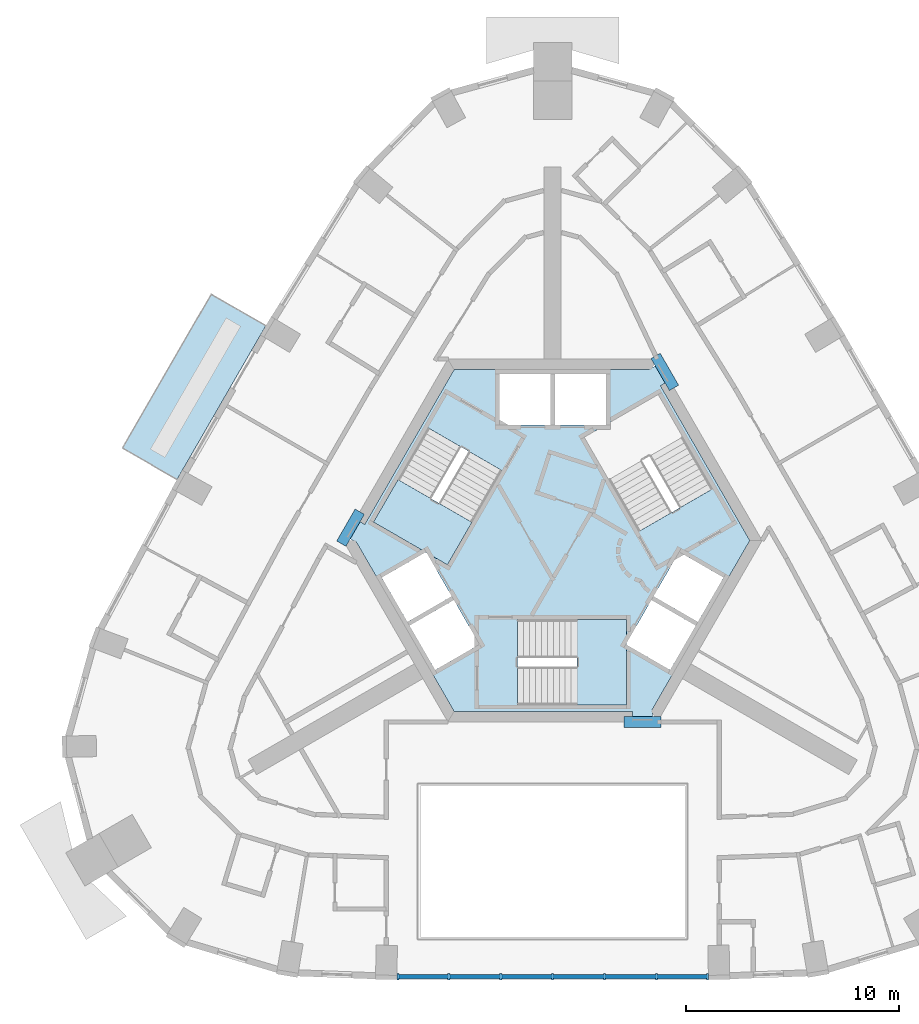
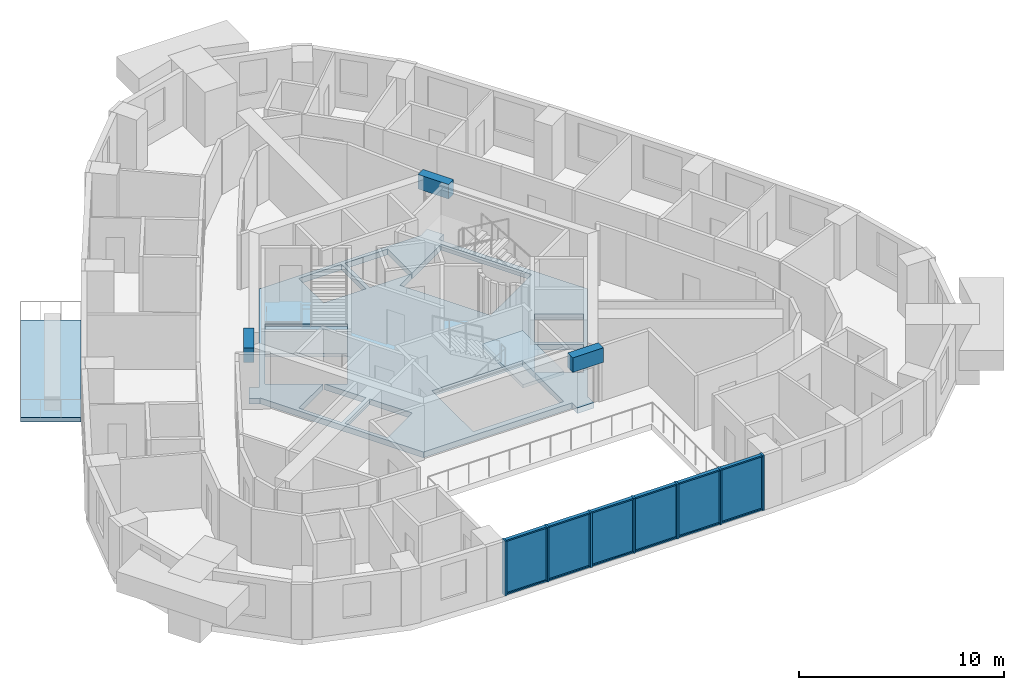
# One storey, part 2 of 11: 19 members, 6 plates, 4 slabs, 3 beams, 3 elements without a shape of their own.
"""IFC4 building model written with IfcOpenShell, lengths in metres."""

from ifc_helpers import new_model, si_unit, direction, frame, origin, origin_2d, place, context, subcontext, project, spatial, polyline, rectangle, outline, extrude, material, layer, layer_set, material_profile, profile_set, type_object, element, aggregate, save


model = new_model("IFC4")

# Units and contexts
model_context = context("Model", 3, precision=1e-05, world=origin(), true_north=direction((0.0, 1.0)))
body_context = subcontext(model_context, "Body", "Model", "MODEL_VIEW")
ifc_project = project(units=[si_unit("LENGTHUNIT", "METRE"), si_unit("AREAUNIT", "SQUARE_METRE"), si_unit("VOLUMEUNIT", "CUBIC_METRE"), si_unit("PLANEANGLEUNIT", "RADIAN"), si_unit("MASSUNIT", "GRAM", prefix="KILO")], contexts=[model_context])

# Site, building, storey
site_placement = place(None, origin())
site = spatial("IfcSite", under=ifc_project, at=site_placement, CompositionType="ELEMENT")
building_placement = place(site_placement, origin())
building = spatial("IfcBuilding", under=site, at=building_placement, Name="Entoto Arch Interchange Tower", CompositionType="ELEMENT")
storey_placement = place(building_placement, frame((0.0, 0.0, 304.39990234375)))
storey = spatial("IfcBuildingStorey", under=building, at=storey_placement, Name="L71", CompositionType="ELEMENT", Elevation=304.39990234375)

# Beams
ifc_material_1 = material(Name="Concrete C40/50", Category="concrete")
ifc_material_profile_1 = material_profile(ifc_material_1, rectangle(XDim=0.5, YDim=0.860107421875, at=origin_2d()))
ifc_profile_set_1 = profile_set([ifc_material_profile_1], Name="Concrete C40/50")
beam_type = type_object("IfcBeamType", Name="Coupling beam RC 500x860 C40/50", PredefinedType="BEAM", material=ifc_profile_set_1)
for number, where, z_axis, x_axis, name in (
    (1, (5.68603515625, 9.65087890625, 2.830078125), (-0.500105721196, 0.865964357019, 0.0), (-0.865964357019, -0.500105721196, 0.0), "Coupling beam NE L71"),
    (2, (-9.035888671875, 3.84912109375, 2.830078125), (-0.500105721196, -0.865964357019, 0.0), (0.865964357019, -0.500105721196, 0.0), "Coupling beam NW L71"),
):
    element("IfcBeam", number, at=place(storey_placement, frame(where, z_axis=z_axis, x_axis=x_axis)), inside=storey, type_object=beam_type, Name=name, PredefinedType="BEAM", context=body_context, shape_type="SweptSolid", body=[
        extrude(rectangle(XDim=0.5, YDim=0.860107421875, at=origin_2d()), origin(), (0.0, 0.0, 1.0), 1.727783203125),
    ])
beam_placement = place(storey_placement, frame((3.35009765625, -6.0, 2.830078125), z_axis=(1.0, 0.0, 0.0), x_axis=(0.0, 1.0, 0.0)))
element("IfcBeam", 3, at=beam_placement, inside=storey, type_object=beam_type, Name="Coupling beam S L71", PredefinedType="BEAM", context=body_context, shape_type="SweptSolid", body=[
    extrude(rectangle(XDim=0.5, YDim=0.860107421875, at=origin_2d()), origin(), (0.0, 0.0, 1.0), 1.725830078125),
])

# Curtain wall, members
ifc_material_2 = material(Name="Aluminium, anodised", Category="aluminium")
curtain_wall_type = type_object("IfcCurtainWallType", Name="CURTAIN WALL ATRIUM", PredefinedType="NOTDEFINED", material=ifc_material_2)
curtain_wall_placement = place(storey_placement, origin())
curtain_wall = element("IfcCurtainWall", 4, at=curtain_wall_placement, inside=storey, type_object=curtain_wall_type, Name="Atrium glazing S-02 L71", PredefinedType="NOTDEFINED")
ifc_material_profile_2 = material_profile(ifc_material_2, rectangle(XDim=0.300048828125, YDim=0.10009765625, at=origin_2d()))
ifc_profile_set_2 = profile_set([ifc_material_profile_2], Name="Aluminium, anodised")
member_type_1 = type_object("IfcMemberType", Name="MULLION ATRIUM 100x300", PredefinedType="MULLION", material=ifc_profile_set_2)
member_1_placement = place(storey_placement, frame((-7.248046875, -17.93896484375, 0.0), z_axis=(0.0, 0.0, 1.0), x_axis=(0.0, 1.0, 0.0)))
member_1 = element("IfcMember", 5, at=member_1_placement, type_object=member_type_1, Name="CWA mullion 1", PredefinedType="MULLION", context=body_context, shape_type="SweptSolid", body=[
    extrude(rectangle(XDim=0.300048828125, YDim=0.10009765625, at=origin_2d()), origin(), (0.0, 0.0, 1.0), 3.260009765625),
])
member_2_placement = place(storey_placement, frame((-4.865234375, -17.93896484375, 0.0), z_axis=(0.0, 0.0, 1.0), x_axis=(0.0, 1.0, 0.0)))
member_2 = element("IfcMember", 6, at=member_2_placement, type_object=member_type_1, Name="CWA mullion 2", PredefinedType="MULLION", context=body_context, shape_type="SweptSolid", body=[
    extrude(rectangle(XDim=0.300048828125, YDim=0.10009765625, at=origin_2d()), origin(), (0.0, 0.0, 1.0), 3.260009765625),
])
member_3_placement = place(storey_placement, frame((-2.4326171875, -17.93896484375, 0.0), z_axis=(0.0, 0.0, 1.0), x_axis=(0.0, 1.0, 0.0)))
member_3 = element("IfcMember", 7, at=member_3_placement, type_object=member_type_1, Name="CWA mullion 3", PredefinedType="MULLION", context=body_context, shape_type="SweptSolid", body=[
    extrude(rectangle(XDim=0.300048828125, YDim=0.10009765625, at=origin_2d()), origin(), (0.0, 0.0, 1.0), 3.260009765625),
])
member_4_placement = place(storey_placement, frame((0.0, -17.93896484375, 0.0), z_axis=(0.0, 0.0, 1.0), x_axis=(0.0, 1.0, 0.0)))
member_4 = element("IfcMember", 8, at=member_4_placement, type_object=member_type_1, Name="CWA mullion 4", PredefinedType="MULLION", context=body_context, shape_type="SweptSolid", body=[
    extrude(rectangle(XDim=0.300048828125, YDim=0.10009765625, at=origin_2d()), origin(), (0.0, 0.0, 1.0), 3.260009765625),
])
member_5_placement = place(storey_placement, frame((2.4326171875, -17.93896484375, 0.0), z_axis=(0.0, 0.0, 1.0), x_axis=(0.0, 1.0, 0.0)))
member_5 = element("IfcMember", 9, at=member_5_placement, type_object=member_type_1, Name="CWA mullion 5", PredefinedType="MULLION", context=body_context, shape_type="SweptSolid", body=[
    extrude(rectangle(XDim=0.300048828125, YDim=0.10009765625, at=origin_2d()), origin(), (0.0, 0.0, 1.0), 3.260009765625),
])
member_6_placement = place(storey_placement, frame((4.865234375, -17.93896484375, 0.0), z_axis=(0.0, 0.0, 1.0), x_axis=(0.0, 1.0, 0.0)))
member_6 = element("IfcMember", 10, at=member_6_placement, type_object=member_type_1, Name="CWA mullion 6", PredefinedType="MULLION", context=body_context, shape_type="SweptSolid", body=[
    extrude(rectangle(XDim=0.300048828125, YDim=0.10009765625, at=origin_2d()), origin(), (0.0, 0.0, 1.0), 3.260009765625),
])
member_7_placement = place(storey_placement, frame((7.248046875, -17.93896484375, 0.0), z_axis=(0.0, 0.0, 1.0), x_axis=(0.0, 1.0, 0.0)))
member_7 = element("IfcMember", 11, at=member_7_placement, type_object=member_type_1, Name="CWA mullion 7", PredefinedType="MULLION", context=body_context, shape_type="SweptSolid", body=[
    extrude(rectangle(XDim=0.300048828125, YDim=0.10009765625, at=origin_2d()), origin(), (0.0, 0.0, 1.0), 3.260009765625),
])
ifc_material_profile_3 = material_profile(ifc_material_2, rectangle(XDim=0.199951171875, YDim=0.080078125, at=origin_2d()))
ifc_profile_set_3 = profile_set([ifc_material_profile_3], Name="Aluminium, anodised")
member_type_2 = type_object("IfcMemberType", Name="TRANSOM ATRIUM 80x200", PredefinedType="USERDEFINED", material=ifc_profile_set_3)
member_8_placement = place(storey_placement, frame((-7.197998046875, -17.93896484375, 0.0400390625), z_axis=(1.0, 0.0, 0.0), x_axis=(0.0, 1.0, 0.0)))
member_8 = element("IfcMember", 12, at=member_8_placement, type_object=member_type_2, Name="CWA transom 1.1", ObjectType="TRANSOM", PredefinedType="USERDEFINED", context=body_context, shape_type="SweptSolid", body=[
    extrude(rectangle(XDim=0.199951171875, YDim=0.080078125, at=origin_2d()), origin(), (0.0, 0.0, 1.0), 2.28271484375),
])
member_9_placement = place(storey_placement, frame((-7.197998046875, -17.93896484375, 3.22021484375), z_axis=(1.0, 0.0, 0.0), x_axis=(0.0, 1.0, 0.0)))
member_9 = element("IfcMember", 13, at=member_9_placement, type_object=member_type_2, Name="CWA transom 1.2", ObjectType="TRANSOM", PredefinedType="USERDEFINED", context=body_context, shape_type="SweptSolid", body=[
    extrude(rectangle(XDim=0.199951171875, YDim=0.080078125, at=origin_2d()), origin(), (0.0, 0.0, 1.0), 2.28271484375),
])
member_10_placement = place(storey_placement, frame((-4.8154296875, -17.93896484375, 0.0400390625), z_axis=(1.0, 0.0, 0.0), x_axis=(0.0, 1.0, 0.0)))
member_10 = element("IfcMember", 14, at=member_10_placement, type_object=member_type_2, Name="CWA transom 2.1", ObjectType="TRANSOM", PredefinedType="USERDEFINED", context=body_context, shape_type="SweptSolid", body=[
    extrude(rectangle(XDim=0.199951171875, YDim=0.080078125, at=origin_2d()), origin(), (0.0, 0.0, 1.0), 2.332763671875),
])
member_11_placement = place(storey_placement, frame((-4.8154296875, -17.93896484375, 3.22021484375), z_axis=(1.0, 0.0, 0.0), x_axis=(0.0, 1.0, 0.0)))
member_11 = element("IfcMember", 15, at=member_11_placement, type_object=member_type_2, Name="CWA transom 2.2", ObjectType="TRANSOM", PredefinedType="USERDEFINED", context=body_context, shape_type="SweptSolid", body=[
    extrude(rectangle(XDim=0.199951171875, YDim=0.080078125, at=origin_2d()), origin(), (0.0, 0.0, 1.0), 2.332763671875),
])
member_12_placement = place(storey_placement, frame((-2.382568359375, -17.93896484375, 0.0400390625), z_axis=(1.0, 0.0, 0.0), x_axis=(0.0, 1.0, 0.0)))
member_12 = element("IfcMember", 16, at=member_12_placement, type_object=member_type_2, Name="CWA transom 3.1", ObjectType="TRANSOM", PredefinedType="USERDEFINED", context=body_context, shape_type="SweptSolid", body=[
    extrude(rectangle(XDim=0.199951171875, YDim=0.080078125, at=origin_2d()), origin(), (0.0, 0.0, 1.0), 2.33251953125),
])
member_13_placement = place(storey_placement, frame((-2.382568359375, -17.93896484375, 3.22021484375), z_axis=(1.0, 0.0, 0.0), x_axis=(0.0, 1.0, 0.0)))
member_13 = element("IfcMember", 17, at=member_13_placement, type_object=member_type_2, Name="CWA transom 3.2", ObjectType="TRANSOM", PredefinedType="USERDEFINED", context=body_context, shape_type="SweptSolid", body=[
    extrude(rectangle(XDim=0.199951171875, YDim=0.080078125, at=origin_2d()), origin(), (0.0, 0.0, 1.0), 2.33251953125),
])
member_14_placement = place(storey_placement, frame((0.050048828125, -17.93896484375, 0.0400390625), z_axis=(1.0, 0.0, 0.0), x_axis=(0.0, 1.0, 0.0)))
member_14 = element("IfcMember", 18, at=member_14_placement, type_object=member_type_2, Name="CWA transom 4.1", ObjectType="TRANSOM", PredefinedType="USERDEFINED", context=body_context, shape_type="SweptSolid", body=[
    extrude(rectangle(XDim=0.199951171875, YDim=0.080078125, at=origin_2d()), origin(), (0.0, 0.0, 1.0), 2.33251953125),
])
member_15_placement = place(storey_placement, frame((0.050048828125, -17.93896484375, 3.22021484375), z_axis=(1.0, 0.0, 0.0), x_axis=(0.0, 1.0, 0.0)))
member_15 = element("IfcMember", 19, at=member_15_placement, type_object=member_type_2, Name="CWA transom 4.2", ObjectType="TRANSOM", PredefinedType="USERDEFINED", context=body_context, shape_type="SweptSolid", body=[
    extrude(rectangle(XDim=0.199951171875, YDim=0.080078125, at=origin_2d()), origin(), (0.0, 0.0, 1.0), 2.33251953125),
])
member_16_placement = place(storey_placement, frame((2.482666015625, -17.93896484375, 0.0400390625), z_axis=(1.0, 0.0, 0.0), x_axis=(0.0, 1.0, 0.0)))
member_16 = element("IfcMember", 20, at=member_16_placement, type_object=member_type_2, Name="CWA transom 5.1", ObjectType="TRANSOM", PredefinedType="USERDEFINED", context=body_context, shape_type="SweptSolid", body=[
    extrude(rectangle(XDim=0.199951171875, YDim=0.080078125, at=origin_2d()), origin(), (0.0, 0.0, 1.0), 2.332763671875),
])
member_17_placement = place(storey_placement, frame((2.482666015625, -17.93896484375, 3.22021484375), z_axis=(1.0, 0.0, 0.0), x_axis=(0.0, 1.0, 0.0)))
member_17 = element("IfcMember", 21, at=member_17_placement, type_object=member_type_2, Name="CWA transom 5.2", ObjectType="TRANSOM", PredefinedType="USERDEFINED", context=body_context, shape_type="SweptSolid", body=[
    extrude(rectangle(XDim=0.199951171875, YDim=0.080078125, at=origin_2d()), origin(), (0.0, 0.0, 1.0), 2.332763671875),
])
member_18_placement = place(storey_placement, frame((4.915283203125, -17.93896484375, 0.0400390625), z_axis=(1.0, 0.0, 0.0), x_axis=(0.0, 1.0, 0.0)))
member_18 = element("IfcMember", 22, at=member_18_placement, type_object=member_type_2, Name="CWA transom 6.1", ObjectType="TRANSOM", PredefinedType="USERDEFINED", context=body_context, shape_type="SweptSolid", body=[
    extrude(rectangle(XDim=0.199951171875, YDim=0.080078125, at=origin_2d()), origin(), (0.0, 0.0, 1.0), 2.28271484375),
])
member_19_placement = place(storey_placement, frame((4.915283203125, -17.93896484375, 3.22021484375), z_axis=(1.0, 0.0, 0.0), x_axis=(0.0, 1.0, 0.0)))
member_19 = element("IfcMember", 23, at=member_19_placement, type_object=member_type_2, Name="CWA transom 6.2", ObjectType="TRANSOM", PredefinedType="USERDEFINED", context=body_context, shape_type="SweptSolid", body=[
    extrude(rectangle(XDim=0.199951171875, YDim=0.080078125, at=origin_2d()), origin(), (0.0, 0.0, 1.0), 2.28271484375),
])

# Slabs
ifc_material_3 = material(Name="Board-marked precast concrete C50/60", Category="concrete")
ifc_layer_1 = layer(ifc_material_3, 0.25)
ifc_layer_set_1 = layer_set([ifc_layer_1], Name="Board-marked precast concrete C50/60")
slab_type_1 = type_object("IfcSlabType", Name="BALCONY DECK PRECAST 250", PredefinedType="FLOOR", material=ifc_layer_set_1)
slab_1_placement = place(storey_placement, frame((0.0, 0.0, -0.25)))
element("IfcSlab", 24, at=slab_1_placement, inside=storey, type_object=slab_type_1, Name="Planted balcony NW-02 L71", PredefinedType="FLOOR", context=body_context, shape_type="SweptSolid", body=[
    extrude(outline(polyline([(-13.43798828125, 12.56005859375), (-17.595947265625, 5.35791015625), (-20.15087890625, 6.8330078125), (-15.992919921875, 14.034912109375), (-13.43798828125, 12.56005859375)])), origin(), (0.0, 0.0, 1.0), 0.25),
])
ifc_layer_2 = layer(ifc_material_1, 0.340087890625)
ifc_layer_set_2 = layer_set([ifc_layer_2], Name="Concrete C40/50")
slab_type_2 = type_object("IfcSlabType", Name="Core floor slab 340 C40/50", PredefinedType="FLOOR", material=ifc_layer_set_2)
slab_2_placement = place(storey_placement, frame((0.0, 0.0, -0.33984375)))
element("IfcSlab", 25, at=slab_2_placement, inside=storey, type_object=slab_type_2, Name="Core floor slab L71", PredefinedType="FLOOR", context=body_context, shape_type="SweptSolid", body=[
    extrude(outline(polyline([(-9.208984375, 2.449951171875), (-9.222900390625, 2.425048828125), (-9.699951171875, 2.699951171875), (-9.236083984375, 3.501953125), (-8.802978515625, 3.2529296875), (-4.618896484375, 10.5), (4.56103515625, 10.5), (4.5458984375, 10.52490234375), (5.02197265625, 10.800048828125), (5.486083984375, 9.998046875), (5.052978515625, 9.748046875), (9.238037109375, 2.5), (4.64794921875, -5.449951171875), (4.676025390625, -5.449951171875), (4.676025390625, -6.0), (3.75, -6.0), (3.75, -5.5), (-4.618896484375, -5.5), (-9.208984375, 2.449951171875)]), holes=[polyline([(-1.64990234375, -5.199951171875), (3.449951171875, -5.199951171875), (3.449951171875, -2.3779296875), (5.5048828125, -3.56494140625), (6.705078125, -1.487060546875), (4.626953125, -0.287109375), (3.449951171875, -2.324951171875), (3.449951171875, -1.199951171875), (-1.64990234375, -1.199951171875), (-1.64990234375, -5.199951171875)]), polyline([(-4.626953125, -0.287109375), (-6.705078125, -1.487060546875), (-5.5048828125, -3.56494140625), (-3.427001953125, -2.364990234375), (-4.626953125, -0.287109375)]), polyline([(-5.904052734375, 1.925048828125), (-4.928955078125, 1.362060546875), (-2.37890625, 5.779052734375), (-5.843017578125, 7.779052734375), (-8.39306640625, 3.362060546875), (-5.949951171875, 1.951904296875), (-8.0048828125, 0.764892578125), (-6.804931640625, -1.31298828125), (-4.72705078125, -0.113037109375), (-5.904052734375, 1.925048828125)]), polyline([(4.72705078125, -0.113037109375), (6.804931640625, -1.31298828125), (8.0048828125, 0.764892578125), (5.927001953125, 1.965087890625), (4.72705078125, -0.113037109375)]), polyline([(2.5, 7.927001953125), (2.5, 10.300048828125), (0.10009765625, 10.300048828125), (0.10009765625, 7.89990234375), (2.452880859375, 7.89990234375), (1.47900390625, 7.337890625), (4.029052734375, 2.9208984375), (7.492919921875, 4.9208984375), (4.943115234375, 9.337890625), (2.5, 7.927001953125)]), polyline([(-2.5, 7.89990234375), (-0.10009765625, 7.89990234375), (-0.10009765625, 10.300048828125), (-2.5, 10.300048828125), (-2.5, 7.89990234375)])]), origin(), (0.0, 0.0, 1.0), 0.33984375),
])

# Stair, slab
stair_type = type_object("IfcStairType", Name="EXIT STAIR RC 1800", PredefinedType="HALF_TURN_STAIR", material=ifc_material_1)
stair_1_placement = place(storey_placement, origin())
stair_1 = element("IfcStair", 26, at=stair_1_placement, inside=storey, type_object=stair_type, Name="L71 Exit stair S", PredefinedType="HALF_TURN_STAIR")
ifc_layer_3 = layer(ifc_material_1, 0.199951171875)
ifc_layer_set_3 = layer_set([ifc_layer_3], Name="Concrete C40/50")
slab_type_3 = type_object("IfcSlabType", Name="EXIT STAIR LANDING RC 200", PredefinedType="LANDING", material=ifc_layer_set_3)
slab_3_placement = place(storey_placement, frame((0.0, 0.0, 1.60009765625)))
slab_3 = element("IfcSlab", 27, at=slab_3_placement, type_object=slab_type_3, Name="ST-S landing 1", PredefinedType="LANDING", context=body_context, shape_type="SweptSolid", body=[
    extrude(outline(polyline([(1.14990234375, -5.199951171875), (3.449951171875, -5.199951171875), (3.449951171875, -1.199951171875), (1.14990234375, -1.199951171875), (1.14990234375, -5.199951171875)])), origin(), (0.0, 0.0, 1.0), 0.199951171875),
])
aggregate(stair_1, [slab_3])

stair_2_placement = place(storey_placement, origin())
stair_2 = element("IfcStair", 28, at=stair_2_placement, inside=storey, type_object=stair_type, Name="L71 Exit stair NW", PredefinedType="HALF_TURN_STAIR")
slab_4_placement = place(storey_placement, frame((0.0, 0.0, 1.60009765625)))
slab_4 = element("IfcSlab", 29, at=slab_4_placement, type_object=slab_type_3, Name="ST-NW landing 1", PredefinedType="LANDING", context=body_context, shape_type="SweptSolid", body=[
    extrude(outline(polyline([(-7.243408203125, 5.35400390625), (-8.393310546875, 3.3623046875), (-4.92919921875, 1.3623046875), (-3.779296875, 3.35400390625), (-7.243408203125, 5.35400390625)])), origin(), (0.0, 0.0, 1.0), 0.199951171875),
])
aggregate(stair_2, [slab_4])

# Plate
ifc_material_4 = material(Name="Clear glass, low-e double glazed", Category="glass")
ifc_layer_4 = layer(ifc_material_4, 0.031982421875)
ifc_layer_set_4 = layer_set([ifc_layer_4], Name="Clear glass, low-e double glazed")
plate_type = type_object("IfcPlateType", Name="GLAZING PANEL ATRIUM 32", PredefinedType="CURTAIN_PANEL", material=ifc_layer_set_4)
plate_1_placement = place(storey_placement, frame((-6.056640625, -17.93896484375, 0.080078125), z_axis=(0.0, 0.0, 1.0), x_axis=(1.0, 0.0, 0.0)))
plate_1 = element("IfcPlate", 30, at=plate_1_placement, type_object=plate_type, Name="CWA panel 1.1", PredefinedType="CURTAIN_PANEL", context=body_context, shape_type="SweptSolid", body=[
    extrude(rectangle(XDim=2.28271484375, YDim=0.031982421875, at=origin_2d()), origin(), (0.0, 0.0, 1.0), 3.10009765625),
])

plate_2_placement = place(storey_placement, frame((-3.64892578125, -17.93896484375, 0.080078125), z_axis=(0.0, 0.0, 1.0), x_axis=(1.0, 0.0, 0.0)))
plate_2 = element("IfcPlate", 31, at=plate_2_placement, type_object=plate_type, Name="CWA panel 2.1", PredefinedType="CURTAIN_PANEL", context=body_context, shape_type="SweptSolid", body=[
    extrude(rectangle(XDim=2.332763671875, YDim=0.031982421875, at=origin_2d()), origin(), (0.0, 0.0, 1.0), 3.10009765625),
])

plate_3_placement = place(storey_placement, frame((-1.21630859375, -17.93896484375, 0.080078125), z_axis=(0.0, 0.0, 1.0), x_axis=(1.0, 0.0, 0.0)))
plate_3 = element("IfcPlate", 32, at=plate_3_placement, type_object=plate_type, Name="CWA panel 3.1", PredefinedType="CURTAIN_PANEL", context=body_context, shape_type="SweptSolid", body=[
    extrude(rectangle(XDim=2.332763671875, YDim=0.031982421875, at=origin_2d()), origin(), (0.0, 0.0, 1.0), 3.10009765625),
])

plate_4_placement = place(storey_placement, frame((1.21630859375, -17.93896484375, 0.080078125), z_axis=(0.0, 0.0, 1.0), x_axis=(1.0, 0.0, 0.0)))
plate_4 = element("IfcPlate", 33, at=plate_4_placement, type_object=plate_type, Name="CWA panel 4.1", PredefinedType="CURTAIN_PANEL", context=body_context, shape_type="SweptSolid", body=[
    extrude(rectangle(XDim=2.332763671875, YDim=0.031982421875, at=origin_2d()), origin(), (0.0, 0.0, 1.0), 3.10009765625),
])

plate_5_placement = place(storey_placement, frame((3.64892578125, -17.93896484375, 0.080078125), z_axis=(0.0, 0.0, 1.0), x_axis=(1.0, 0.0, 0.0)))
plate_5 = element("IfcPlate", 34, at=plate_5_placement, type_object=plate_type, Name="CWA panel 5.1", PredefinedType="CURTAIN_PANEL", context=body_context, shape_type="SweptSolid", body=[
    extrude(rectangle(XDim=2.332763671875, YDim=0.031982421875, at=origin_2d()), origin(), (0.0, 0.0, 1.0), 3.10009765625),
])

plate_6_placement = place(storey_placement, frame((6.056640625, -17.93896484375, 0.080078125), z_axis=(0.0, 0.0, 1.0), x_axis=(1.0, 0.0, 0.0)))
plate_6 = element("IfcPlate", 35, at=plate_6_placement, type_object=plate_type, Name="CWA panel 6.1", PredefinedType="CURTAIN_PANEL", context=body_context, shape_type="SweptSolid", body=[
    extrude(rectangle(XDim=2.28271484375, YDim=0.031982421875, at=origin_2d()), origin(), (0.0, 0.0, 1.0), 3.10009765625),
])

aggregate(curtain_wall, [member_1, member_2, member_3, member_4, member_5, member_6, member_7, member_8, member_9, plate_1, member_10, member_11, plate_2, member_12, member_13, plate_3, member_14, member_15, plate_4, member_16, member_17, plate_5, member_18, member_19, plate_6])

save(model, "model.ifc")
